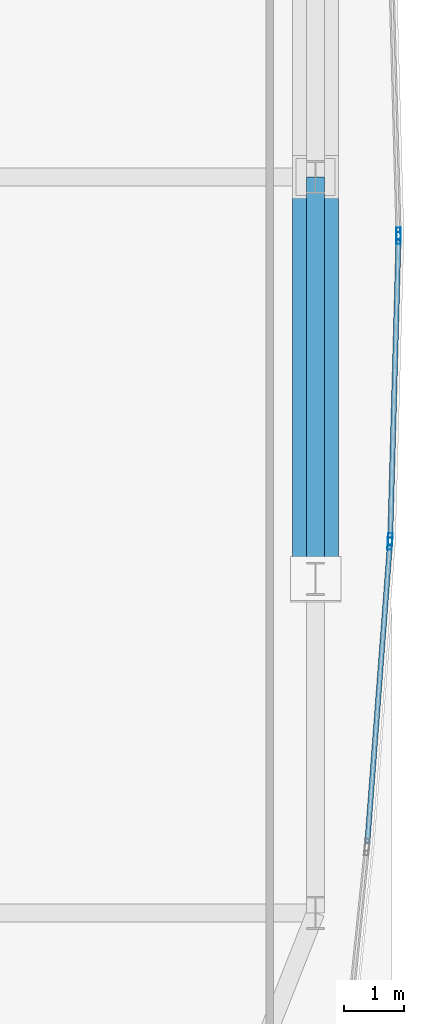
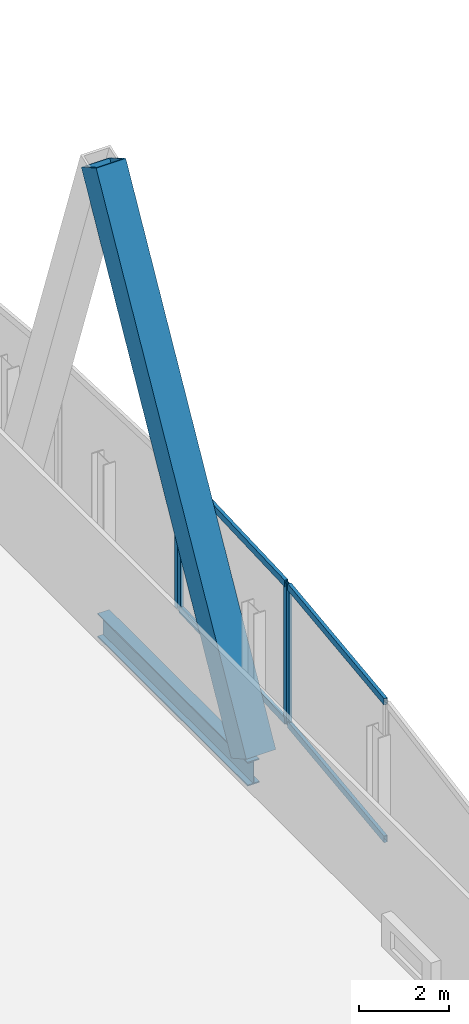
# One storey, part 22 of 35: 9 members, 1 beam, 3 elements without a shape of their own.
"""IFC4 building model written with IfcOpenShell, lengths in metres."""

from ifc_helpers import new_model, si_unit, direction, frame, origin, origin_2d, place, context, subcontext, project, spatial, hollow_rectangle, i_section, extrude, material, material_profile, profile_set, type_object, element, aggregate, save


model = new_model("IFC4")

# Units and contexts
model_context = context("Model", 3, precision=1e-05, world=origin(), true_north=direction((0.0, 1.0)))
body_context = subcontext(model_context, "Body", "Model", "MODEL_VIEW")
ifc_project = project(units=[si_unit("LENGTHUNIT", "METRE"), si_unit("AREAUNIT", "SQUARE_METRE"), si_unit("VOLUMEUNIT", "CUBIC_METRE"), si_unit("PLANEANGLEUNIT", "RADIAN"), si_unit("MASSUNIT", "GRAM", prefix="KILO")], contexts=[model_context])

# Site, building, storey
site_placement = place(None, origin())
site = spatial("IfcSite", under=ifc_project, at=site_placement, CompositionType="ELEMENT")
building_placement = place(site_placement, origin())
building = spatial("IfcBuilding", under=site, at=building_placement, Name="Khoronbel Lancet Exchange", CompositionType="ELEMENT")
storey_placement = place(building_placement, frame((0.0, 0.0, 25.800048828125)))
storey = spatial("IfcBuildingStorey", under=building, at=storey_placement, Name="L05", CompositionType="ELEMENT", Elevation=25.800048828125)

# Beam
ifc_material_1 = material(Name="Steel S355", Category="steel")
ifc_material_profile_1 = material_profile(ifc_material_1, i_section(OverallWidth=0.300048828125, OverallDepth=0.64990234375, WebThickness=0.01611328125, FlangeThickness=0.031005859375, at=origin_2d()), Name="HEB 650")
ifc_profile_set_1 = profile_set([ifc_material_profile_1], Name="Steel S355")
beam_type = type_object("IfcBeamType", Name="BM-BSP1", PredefinedType="SPANDREL", material=ifc_profile_set_1)
beam_placement = place(storey_placement, frame((71.6298828125, 24.75, -0.505126953125), z_axis=(0.0, 1.0, 0.0), x_axis=(-1.0, 0.0, 0.0)))
element("IfcBeam", 1, at=beam_placement, inside=storey, type_object=beam_type, Name="Level L05 perimeter spandrel beam SP10", PredefinedType="SPANDREL", context=body_context, shape_type="SweptSolid", body=[
    extrude(i_section(OverallWidth=0.300048828125, OverallDepth=0.64990234375, WebThickness=0.01611328125, FlangeThickness=0.031005859375, at=origin_2d()), origin(), (0.0, 0.0, 1.0), 6.675048828125),
])

# Curtain wall, member
ifc_material_2 = material(Name="Low-E Solar Control Insulating Glass", Category="glass")
curtain_wall_type = type_object("IfcCurtainWallType", Name="CW-4", PredefinedType="NOTDEFINED", material=ifc_material_2)
curtain_wall_1_placement = place(storey_placement, origin())
curtain_wall_1 = element("IfcCurtainWall", 2, at=curtain_wall_1_placement, inside=storey, type_object=curtain_wall_type, Name="Unitised curtain wall CW-L05-E19", PredefinedType="NOTDEFINED")
ifc_material_3 = material(Name="Bronze-Anodised Aluminium 6063-T6", Category="aluminium")
ifc_material_profile_2 = material_profile(ifc_material_3, hollow_rectangle(XDim=0.074951171875, YDim=0.199951171875, WallThickness=0.0048828125, at=origin_2d()), Name="ALU MULLION 75x200")
ifc_profile_set_2 = profile_set([ifc_material_profile_2], Name="Bronze-Anodised Aluminium 6063-T6")
member_type_1 = type_object("IfcMemberType", Name="MEM-CWM2", PredefinedType="MULLION", material=ifc_profile_set_2)
member_1_placement = place(storey_placement, frame((73.009033203125, 30.487548828125, 0.0), z_axis=(0.0, 0.0, 1.0), x_axis=(0.999617011286, 0.027673647157, 0.0)))
member_1 = element("IfcMember", 3, at=member_1_placement, type_object=member_type_1, Name="CW4 mullion 2", PredefinedType="MULLION", context=body_context, shape_type="SweptSolid", body=[
    extrude(hollow_rectangle(XDim=0.074951171875, YDim=0.199951171875, WallThickness=0.0048828125, at=origin_2d()), origin(), (0.0, 0.0, 1.0), 3.820068359375),
])
aggregate(curtain_wall_1, [member_1])

# Curtain wall, members
curtain_wall_2_placement = place(storey_placement, origin())
curtain_wall_2 = element("IfcCurtainWall", 4, at=curtain_wall_2_placement, inside=storey, type_object=curtain_wall_type, Name="Unitised curtain wall CW-L05-E20", PredefinedType="NOTDEFINED")
member_2_placement = place(storey_placement, frame((73.009033203125, 30.41259765625, 0.0), z_axis=(0.0, 0.0, 1.0), x_axis=(0.999617011286, -0.027673647157, 0.0)))
member_2 = element("IfcMember", 5, at=member_2_placement, type_object=member_type_1, Name="CW4 mullion 1", PredefinedType="MULLION", context=body_context, shape_type="SweptSolid", body=[
    extrude(hollow_rectangle(XDim=0.074951171875, YDim=0.199951171875, WallThickness=0.0048828125, at=origin_2d()), origin(), (0.0, 0.0, 1.0), 3.820068359375),
])
member_3_placement = place(storey_placement, frame((72.870361328125, 25.40869140625, 0.0), z_axis=(0.0, 0.0, 1.0), x_axis=(0.999617011286, -0.027673647157, 0.0)))
member_3 = element("IfcMember", 6, at=member_3_placement, type_object=member_type_1, Name="CW4 mullion 2", PredefinedType="MULLION", context=body_context, shape_type="SweptSolid", body=[
    extrude(hollow_rectangle(XDim=0.074951171875, YDim=0.199951171875, WallThickness=0.0048828125, at=origin_2d()), origin(), (0.0, 0.0, 1.0), 3.820068359375),
])

# Curtain wall, member
curtain_wall_3_placement = place(storey_placement, origin())
curtain_wall_3 = element("IfcCurtainWall", 7, at=curtain_wall_3_placement, inside=storey, type_object=curtain_wall_type, Name="Unitised curtain wall CW-L05-E21", PredefinedType="NOTDEFINED")
member_4_placement = place(storey_placement, frame((72.866455078125, 25.333984375, 0.0), z_axis=(0.0, 0.0, 1.0), x_axis=(0.997153744129, -0.075395030141, 0.0)))
member_4 = element("IfcMember", 8, at=member_4_placement, type_object=member_type_1, Name="CW4 mullion 1", PredefinedType="MULLION", context=body_context, shape_type="SweptSolid", body=[
    extrude(hollow_rectangle(XDim=0.074951171875, YDim=0.199951171875, WallThickness=0.0048828125, at=origin_2d()), origin(), (0.0, 0.0, 1.0), 3.820068359375),
])

# Member
ifc_material_profile_3 = material_profile(ifc_material_3, hollow_rectangle(XDim=0.0849609375, YDim=0.179931640625, WallThickness=0.0048828125, at=origin_2d()), Name="ALU TRANSOM 85x180")
ifc_profile_set_3 = profile_set([ifc_material_profile_3], Name="Bronze-Anodised Aluminium 6063-T6")
member_type_2 = type_object("IfcMemberType", Name="MEM-CWT1", PredefinedType="USERDEFINED", material=ifc_profile_set_3)
member_5_placement = place(storey_placement, frame((73.0078125, 30.375, 0.04248046875), z_axis=(-0.027629630064, -0.999618228897, 0.0), x_axis=(0.999618228897, -0.027629630064, 0.0)))
member_5 = element("IfcMember", 9, at=member_5_placement, type_object=member_type_2, Name="CW4 transom 1.1", ObjectType="TRANSOM", PredefinedType="USERDEFINED", context=body_context, shape_type="SweptSolid", body=[
    extrude(hollow_rectangle(XDim=0.0849609375, YDim=0.179931640625, WallThickness=0.0048828125, at=origin_2d()), origin(), (0.0, 0.0, 1.0), 4.9306640625),
])

member_6_placement = place(storey_placement, frame((73.0078125, 30.375, 3.77734375), z_axis=(-0.027629630064, -0.999618228897, 0.0), x_axis=(0.999618228897, -0.027629630064, 0.0)))
member_6 = element("IfcMember", 10, at=member_6_placement, type_object=member_type_2, Name="CW4 transom 1.2", ObjectType="TRANSOM", PredefinedType="USERDEFINED", context=body_context, shape_type="SweptSolid", body=[
    extrude(hollow_rectangle(XDim=0.0849609375, YDim=0.179931640625, WallThickness=0.0048828125, at=origin_2d()), origin(), (0.0, 0.0, 1.0), 4.9306640625),
])

aggregate(curtain_wall_2, [member_2, member_3, member_5, member_6])

member_7_placement = place(storey_placement, frame((72.86376953125, 25.296630859375, 0.04248046875), z_axis=(-0.07539383567, -0.997153834442, 0.0), x_axis=(0.997153834442, -0.07539383567, 0.0)))
member_7 = element("IfcMember", 11, at=member_7_placement, type_object=member_type_2, Name="CW4 transom 1.1", ObjectType="TRANSOM", PredefinedType="USERDEFINED", context=body_context, shape_type="SweptSolid", body=[
    extrude(hollow_rectangle(XDim=0.0849609375, YDim=0.179931640625, WallThickness=0.0048828125, at=origin_2d()), origin(), (0.0, 0.0, 1.0), 4.94482421875),
])

member_8_placement = place(storey_placement, frame((72.86376953125, 25.296630859375, 3.77734375), z_axis=(-0.07539383567, -0.997153834442, 0.0), x_axis=(0.997153834442, -0.07539383567, 0.0)))
member_8 = element("IfcMember", 12, at=member_8_placement, type_object=member_type_2, Name="CW4 transom 1.2", ObjectType="TRANSOM", PredefinedType="USERDEFINED", context=body_context, shape_type="SweptSolid", body=[
    extrude(hollow_rectangle(XDim=0.0849609375, YDim=0.179931640625, WallThickness=0.0048828125, at=origin_2d()), origin(), (0.0, 0.0, 1.0), 4.94482421875),
])

aggregate(curtain_wall_3, [member_4, member_7, member_8])

ifc_material_4 = material(Name="Steel S460", Category="steel")
ifc_material_profile_4 = material_profile(ifc_material_4, hollow_rectangle(XDim=0.760009765625, YDim=0.760009765625, WallThickness=0.054931640625, at=origin_2d()), Name="BOX 760x760x55")
ifc_profile_set_4 = profile_set([ifc_material_profile_4], Name="Steel S460")
member_type_3 = type_object("IfcMemberType", Name="MEM-MB1", PredefinedType="BRACE", material=ifc_profile_set_4)
member_9_placement = place(storey_placement, frame((71.6298828125, 24.75, 0.0), z_axis=(0.0, 0.486109322328, 0.873898007061), x_axis=(-1.0, 0.0, 0.0)))
element("IfcMember", 13, at=member_9_placement, inside=storey, type_object=member_type_3, Name="Perimeter lancet brace tier 1 E-P-L", PredefinedType="BRACE", context=body_context, shape_type="SweptSolid", body=[
    extrude(hollow_rectangle(XDim=0.760009765625, YDim=0.760009765625, WallThickness=0.054931640625, at=origin_2d()), origin(), (0.0, 0.0, 1.0), 13.731689453125),
])

save(model, "model.ifc")
